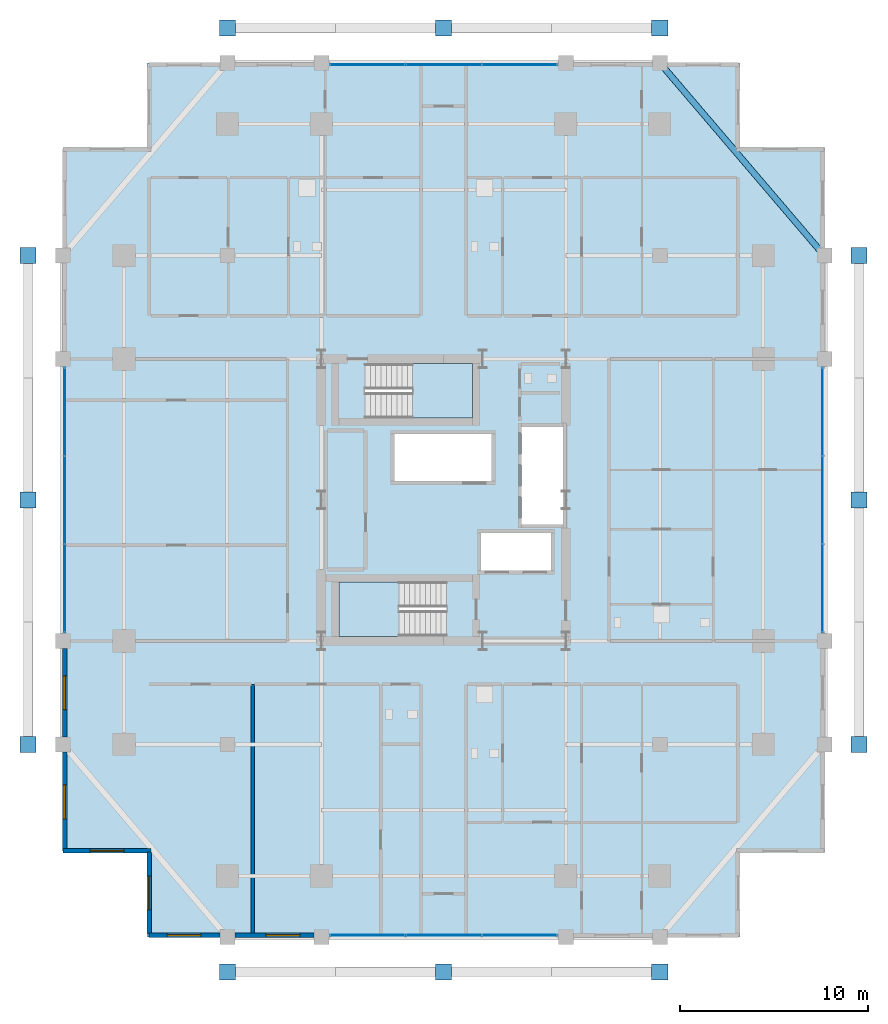
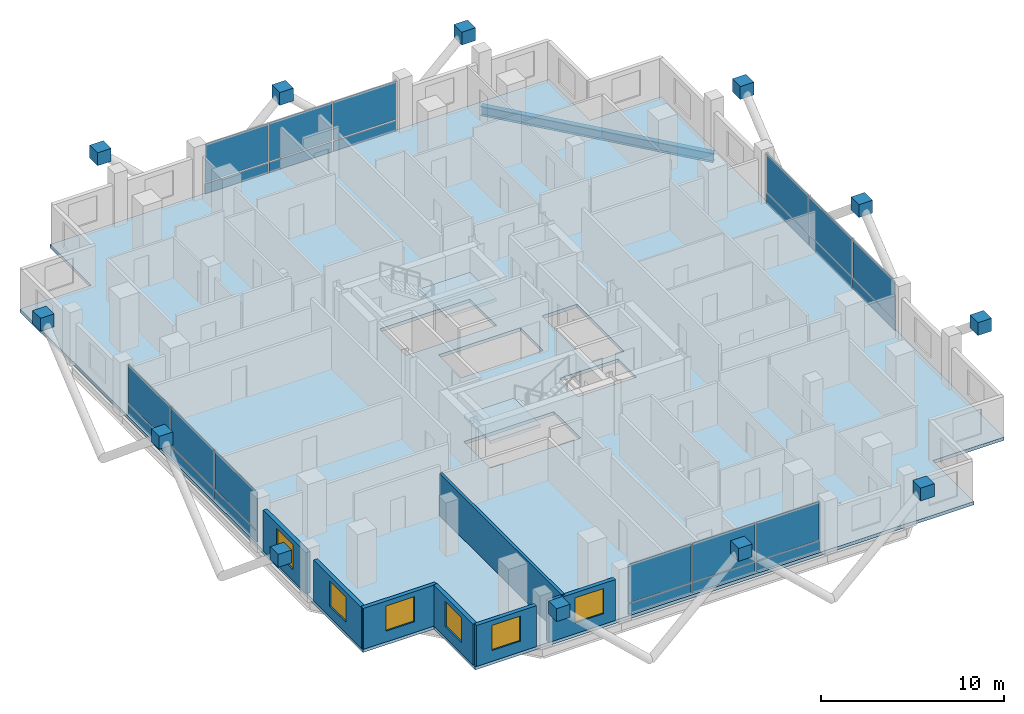
# One storey, part 16 of 23: 36 plates, 7 walls, 6 windows, 3 slabs, 1 beam, 6 openings, 6 elements without a shape of their own.
"""IFC4 building model written with IfcOpenShell, lengths in metres."""

from ifc_helpers import new_model, si_unit, direction, frame, frame_2d, origin, origin_2d, place, context, subcontext, project, spatial, polyline, rectangle, i_section, outline, extrude, material, layer, layer_set, material_profile, profile_set, type_object, element, fill, aggregate, save


model = new_model("IFC4")

# Units and contexts
model_context = context("Model", 3, precision=1e-05, world=origin(), true_north=direction((0.0, 1.0)))
body_context = subcontext(model_context, "Body", "Model", "MODEL_VIEW")
ifc_project = project(units=[si_unit("LENGTHUNIT", "METRE"), si_unit("AREAUNIT", "SQUARE_METRE"), si_unit("VOLUMEUNIT", "CUBIC_METRE"), si_unit("PLANEANGLEUNIT", "RADIAN"), si_unit("MASSUNIT", "GRAM", prefix="KILO")], contexts=[model_context])

# Site, building, storey
site_placement = place(None, origin())
site = spatial("IfcSite", under=ifc_project, at=site_placement, CompositionType="ELEMENT")
building_placement = place(site_placement, origin())
building = spatial("IfcBuilding", under=site, at=building_placement, Name="Barlavira Tower and Art Museum", CompositionType="ELEMENT")
storey_placement = place(building_placement, frame((0.0, 0.0, 151.199951171875)))
storey = spatial("IfcBuildingStorey", under=building, at=storey_placement, Name="L38", CompositionType="ELEMENT", Elevation=151.199951171875)

# Beam
ifc_material_1 = material(Name="Steel S355", Category="steel")
ifc_material_profile = material_profile(ifc_material_1, i_section(OverallWidth=0.327880859375, OverallDepth=0.62890625, WebThickness=0.013916015625, FlangeThickness=0.021484375, at=origin_2d()), Name="W610x174.0")
ifc_profile_set = profile_set([ifc_material_profile], Name="Steel S355")
beam_type = type_object("IfcBeamType", Name="Perimeter Spandrel Edge Beam W610x174 Steel S355", PredefinedType="SPANDREL", material=ifc_profile_set)
beam_placement = place(storey_placement, frame((20.25, 13.0, -0.534423828125), z_axis=(-0.649262379928, 0.760564502202, 0.0), x_axis=(-0.760564502202, -0.649262379928, 0.0)))
element("IfcBeam", 1, at=beam_placement, inside=storey, type_object=beam_type, Name="L38 Spandrel 8", PredefinedType="SPANDREL", context=body_context, shape_type="SweptSolid", body=[
    extrude(i_section(OverallWidth=0.327880859375, OverallDepth=0.62890625, WebThickness=0.013916015625, FlangeThickness=0.021484375, at=origin_2d()), origin(), (0.0, 0.0, 1.0), 13.476806640625),
])

# Curtain wall, plates
ifc_material_2 = material(Name="Low-iron coastal laminated glass", Category="glass")
ifc_layer_1 = layer(ifc_material_2, 0.18994140625, Name="Low-iron coastal laminated glass")
ifc_layer_set_1 = layer_set([ifc_layer_1], Name="Low-iron coastal laminated glass")
curtain_wall_type = type_object("IfcCurtainWallType", Name="Pale-Metal Unitised Curtain Wall Zone 2", PredefinedType="NOTDEFINED", material=ifc_layer_set_1)
curtain_wall_1_placement = place(storey_placement, origin())
curtain_wall_1 = element("IfcCurtainWall", 2, at=curtain_wall_1_placement, inside=storey, type_object=curtain_wall_type, Name="L38 Curtain Wall CW2-L38-S-B3", PredefinedType="NOTDEFINED")
ifc_material_3 = material(Name="Pale anodised aluminium", Category="aluminium")
ifc_layer_2 = layer(ifc_material_3, 0.044921875, Name="Pale anodised aluminium")
ifc_layer_set_2 = layer_set([ifc_layer_2], Name="Pale anodised aluminium")
plate_type_1 = type_object("IfcPlateType", Name="Curtain Wall Pale-Metal Spandrel Panel 45", PredefinedType="CURTAIN_PANEL", material=ifc_layer_set_2)
plate_1_placement = place(storey_placement, frame((-4.05322265625, -23.14990234375, 0.0400390625), z_axis=(0.0, 0.0, 1.0), x_axis=(1.0, 0.0, 0.0)))
plate_1 = element("IfcPlate", 3, at=plate_1_placement, type_object=plate_type_1, Name="CW2-L38-S-B3 Spandrel Panel 0", PredefinedType="CURTAIN_PANEL", context=body_context, shape_type="SweptSolid", body=[
    extrude(rectangle(XDim=3.953369140625, YDim=0.044921875, at=origin_2d()), origin(), (0.0, 0.0, 1.0), 0.6640625),
])
plate_2_placement = place(storey_placement, frame((0.0, -23.14990234375, 0.0400390625), z_axis=(0.0, 0.0, 1.0), x_axis=(1.0, 0.0, 0.0)))
plate_2 = element("IfcPlate", 4, at=plate_2_placement, type_object=plate_type_1, Name="CW2-L38-S-B3 Spandrel Panel 1", PredefinedType="CURTAIN_PANEL", context=body_context, shape_type="SweptSolid", body=[
    extrude(rectangle(XDim=3.953369140625, YDim=0.044921875, at=origin_2d()), origin(), (0.0, 0.0, 1.0), 0.6640625),
])
plate_3_placement = place(storey_placement, frame((4.05322265625, -23.14990234375, 0.0400390625), z_axis=(0.0, 0.0, 1.0), x_axis=(1.0, 0.0, 0.0)))
plate_3 = element("IfcPlate", 5, at=plate_3_placement, type_object=plate_type_1, Name="CW2-L38-S-B3 Spandrel Panel 2", PredefinedType="CURTAIN_PANEL", context=body_context, shape_type="SweptSolid", body=[
    extrude(rectangle(XDim=3.953369140625, YDim=0.044921875, at=origin_2d()), origin(), (0.0, 0.0, 1.0), 0.6640625),
])

curtain_wall_2_placement = place(storey_placement, origin())
curtain_wall_2 = element("IfcCurtainWall", 6, at=curtain_wall_2_placement, inside=storey, type_object=curtain_wall_type, Name="L38 Curtain Wall CW2-L38-N-B3", PredefinedType="NOTDEFINED")
plate_4_placement = place(storey_placement, frame((4.05322265625, 23.14990234375, 0.0400390625), z_axis=(0.0, 0.0, 1.0), x_axis=(-1.0, 0.0, 0.0)))
plate_4 = element("IfcPlate", 7, at=plate_4_placement, type_object=plate_type_1, Name="CW2-L38-N-B3 Spandrel Panel 0", PredefinedType="CURTAIN_PANEL", context=body_context, shape_type="SweptSolid", body=[
    extrude(rectangle(XDim=3.953369140625, YDim=0.044921875, at=origin_2d()), origin(), (0.0, 0.0, 1.0), 0.6640625),
])
plate_5_placement = place(storey_placement, frame((0.0, 23.14990234375, 0.0400390625), z_axis=(0.0, 0.0, 1.0), x_axis=(-1.0, 0.0, 0.0)))
plate_5 = element("IfcPlate", 8, at=plate_5_placement, type_object=plate_type_1, Name="CW2-L38-N-B3 Spandrel Panel 1", PredefinedType="CURTAIN_PANEL", context=body_context, shape_type="SweptSolid", body=[
    extrude(rectangle(XDim=3.953369140625, YDim=0.044921875, at=origin_2d()), origin(), (0.0, 0.0, 1.0), 0.6640625),
])
plate_6_placement = place(storey_placement, frame((-4.05322265625, 23.14990234375, 0.0400390625), z_axis=(0.0, 0.0, 1.0), x_axis=(-1.0, 0.0, 0.0)))
plate_6 = element("IfcPlate", 9, at=plate_6_placement, type_object=plate_type_1, Name="CW2-L38-N-B3 Spandrel Panel 2", PredefinedType="CURTAIN_PANEL", context=body_context, shape_type="SweptSolid", body=[
    extrude(rectangle(XDim=3.953369140625, YDim=0.044921875, at=origin_2d()), origin(), (0.0, 0.0, 1.0), 0.6640625),
])

curtain_wall_3_placement = place(storey_placement, origin())
curtain_wall_3 = element("IfcCurtainWall", 10, at=curtain_wall_3_placement, inside=storey, type_object=curtain_wall_type, Name="L38 Curtain Wall CW2-L38-W-B3", PredefinedType="NOTDEFINED")
plate_7_placement = place(storey_placement, frame((-20.14990234375, 4.719970703125, 0.0400390625), z_axis=(0.0, 0.0, 1.0), x_axis=(0.0, -1.0, 0.0)))
plate_7 = element("IfcPlate", 11, at=plate_7_placement, type_object=plate_type_1, Name="CW2-L38-W-B3 Spandrel Panel 0", PredefinedType="CURTAIN_PANEL", context=body_context, shape_type="SweptSolid", body=[
    extrude(rectangle(XDim=4.6201171875, YDim=0.044921875, at=origin_2d()), origin(), (0.0, 0.0, 1.0), 0.6640625),
])
plate_8_placement = place(storey_placement, frame((-20.14990234375, 0.0, 0.0400390625), z_axis=(0.0, 0.0, 1.0), x_axis=(0.0, -1.0, 0.0)))
plate_8 = element("IfcPlate", 12, at=plate_8_placement, type_object=plate_type_1, Name="CW2-L38-W-B3 Spandrel Panel 1", PredefinedType="CURTAIN_PANEL", context=body_context, shape_type="SweptSolid", body=[
    extrude(rectangle(XDim=4.6201171875, YDim=0.044921875, at=origin_2d()), origin(), (0.0, 0.0, 1.0), 0.6640625),
])
plate_9_placement = place(storey_placement, frame((-20.14990234375, -4.719970703125, 0.0400390625), z_axis=(0.0, 0.0, 1.0), x_axis=(0.0, -1.0, 0.0)))
plate_9 = element("IfcPlate", 13, at=plate_9_placement, type_object=plate_type_1, Name="CW2-L38-W-B3 Spandrel Panel 2", PredefinedType="CURTAIN_PANEL", context=body_context, shape_type="SweptSolid", body=[
    extrude(rectangle(XDim=4.6201171875, YDim=0.044921875, at=origin_2d()), origin(), (0.0, 0.0, 1.0), 0.6640625),
])

curtain_wall_4_placement = place(storey_placement, origin())
curtain_wall_4 = element("IfcCurtainWall", 14, at=curtain_wall_4_placement, inside=storey, type_object=curtain_wall_type, Name="L38 Curtain Wall CW2-L38-E-B3", PredefinedType="NOTDEFINED")
plate_10_placement = place(storey_placement, frame((20.14990234375, -4.719970703125, 0.0400390625), z_axis=(0.0, 0.0, 1.0), x_axis=(0.0, 1.0, 0.0)))
plate_10 = element("IfcPlate", 15, at=plate_10_placement, type_object=plate_type_1, Name="CW2-L38-E-B3 Spandrel Panel 0", PredefinedType="CURTAIN_PANEL", context=body_context, shape_type="SweptSolid", body=[
    extrude(rectangle(XDim=4.6201171875, YDim=0.044921875, at=origin_2d()), origin(), (0.0, 0.0, 1.0), 0.6640625),
])
plate_11_placement = place(storey_placement, frame((20.14990234375, 0.0, 0.0400390625), z_axis=(0.0, 0.0, 1.0), x_axis=(0.0, 1.0, 0.0)))
plate_11 = element("IfcPlate", 16, at=plate_11_placement, type_object=plate_type_1, Name="CW2-L38-E-B3 Spandrel Panel 1", PredefinedType="CURTAIN_PANEL", context=body_context, shape_type="SweptSolid", body=[
    extrude(rectangle(XDim=4.6201171875, YDim=0.044921875, at=origin_2d()), origin(), (0.0, 0.0, 1.0), 0.6640625),
])
plate_12_placement = place(storey_placement, frame((20.14990234375, 4.719970703125, 0.0400390625), z_axis=(0.0, 0.0, 1.0), x_axis=(0.0, 1.0, 0.0)))
plate_12 = element("IfcPlate", 17, at=plate_12_placement, type_object=plate_type_1, Name="CW2-L38-E-B3 Spandrel Panel 2", PredefinedType="CURTAIN_PANEL", context=body_context, shape_type="SweptSolid", body=[
    extrude(rectangle(XDim=4.6201171875, YDim=0.044921875, at=origin_2d()), origin(), (0.0, 0.0, 1.0), 0.6640625),
])

# Plate
ifc_layer_3 = layer(ifc_material_2, 0.028076171875, Name="Low-iron coastal laminated glass")
ifc_layer_set_3 = layer_set([ifc_layer_3], Name="Low-iron coastal laminated glass")
plate_type_2 = type_object("IfcPlateType", Name="Curtain Wall Vision Glazing Panel 28", PredefinedType="CURTAIN_PANEL", material=ifc_layer_set_3)
plate_13_placement = place(storey_placement, frame((-4.05322265625, -23.14990234375, 0.7841796875), z_axis=(0.0, 0.0, 1.0), x_axis=(1.0, 0.0, 0.0)))
plate_13 = element("IfcPlate", 18, at=plate_13_placement, type_object=plate_type_2, Name="CW2-L38-S-B3 Vision Glass Panel 0", PredefinedType="CURTAIN_PANEL", context=body_context, shape_type="SweptSolid", body=[
    extrude(rectangle(XDim=3.953369140625, YDim=0.028076171875, at=origin_2d()), origin(), (0.0, 0.0, 1.0), 2.555908203125),
])

plate_14_placement = place(storey_placement, frame((0.0, -23.14990234375, 0.7841796875), z_axis=(0.0, 0.0, 1.0), x_axis=(1.0, 0.0, 0.0)))
plate_14 = element("IfcPlate", 19, at=plate_14_placement, type_object=plate_type_2, Name="CW2-L38-S-B3 Vision Glass Panel 1", PredefinedType="CURTAIN_PANEL", context=body_context, shape_type="SweptSolid", body=[
    extrude(rectangle(XDim=3.953369140625, YDim=0.028076171875, at=origin_2d()), origin(), (0.0, 0.0, 1.0), 2.555908203125),
])

plate_15_placement = place(storey_placement, frame((4.05322265625, -23.14990234375, 0.7841796875), z_axis=(0.0, 0.0, 1.0), x_axis=(1.0, 0.0, 0.0)))
plate_15 = element("IfcPlate", 20, at=plate_15_placement, type_object=plate_type_2, Name="CW2-L38-S-B3 Vision Glass Panel 2", PredefinedType="CURTAIN_PANEL", context=body_context, shape_type="SweptSolid", body=[
    extrude(rectangle(XDim=3.953369140625, YDim=0.028076171875, at=origin_2d()), origin(), (0.0, 0.0, 1.0), 2.555908203125),
])

aggregate(curtain_wall_1, [plate_1, plate_13, plate_2, plate_14, plate_3, plate_15])

plate_16_placement = place(storey_placement, frame((4.05322265625, 23.14990234375, 0.7841796875), z_axis=(0.0, 0.0, 1.0), x_axis=(-1.0, 0.0, 0.0)))
plate_16 = element("IfcPlate", 21, at=plate_16_placement, type_object=plate_type_2, Name="CW2-L38-N-B3 Vision Glass Panel 0", PredefinedType="CURTAIN_PANEL", context=body_context, shape_type="SweptSolid", body=[
    extrude(rectangle(XDim=3.953369140625, YDim=0.028076171875, at=origin_2d()), origin(), (0.0, 0.0, 1.0), 2.555908203125),
])

plate_17_placement = place(storey_placement, frame((0.0, 23.14990234375, 0.7841796875), z_axis=(0.0, 0.0, 1.0), x_axis=(-1.0, 0.0, 0.0)))
plate_17 = element("IfcPlate", 22, at=plate_17_placement, type_object=plate_type_2, Name="CW2-L38-N-B3 Vision Glass Panel 1", PredefinedType="CURTAIN_PANEL", context=body_context, shape_type="SweptSolid", body=[
    extrude(rectangle(XDim=3.953369140625, YDim=0.028076171875, at=origin_2d()), origin(), (0.0, 0.0, 1.0), 2.555908203125),
])

plate_18_placement = place(storey_placement, frame((-4.05322265625, 23.14990234375, 0.7841796875), z_axis=(0.0, 0.0, 1.0), x_axis=(-1.0, 0.0, 0.0)))
plate_18 = element("IfcPlate", 23, at=plate_18_placement, type_object=plate_type_2, Name="CW2-L38-N-B3 Vision Glass Panel 2", PredefinedType="CURTAIN_PANEL", context=body_context, shape_type="SweptSolid", body=[
    extrude(rectangle(XDim=3.953369140625, YDim=0.028076171875, at=origin_2d()), origin(), (0.0, 0.0, 1.0), 2.555908203125),
])

aggregate(curtain_wall_2, [plate_4, plate_16, plate_5, plate_17, plate_6, plate_18])

plate_19_placement = place(storey_placement, frame((-20.14990234375, 4.719970703125, 0.7841796875), z_axis=(0.0, 0.0, 1.0), x_axis=(0.0, -1.0, 0.0)))
plate_19 = element("IfcPlate", 24, at=plate_19_placement, type_object=plate_type_2, Name="CW2-L38-W-B3 Vision Glass Panel 0", PredefinedType="CURTAIN_PANEL", context=body_context, shape_type="SweptSolid", body=[
    extrude(rectangle(XDim=4.6201171875, YDim=0.028076171875, at=origin_2d()), origin(), (0.0, 0.0, 1.0), 2.555908203125),
])

plate_20_placement = place(storey_placement, frame((-20.14990234375, 0.0, 0.7841796875), z_axis=(0.0, 0.0, 1.0), x_axis=(0.0, -1.0, 0.0)))
plate_20 = element("IfcPlate", 25, at=plate_20_placement, type_object=plate_type_2, Name="CW2-L38-W-B3 Vision Glass Panel 1", PredefinedType="CURTAIN_PANEL", context=body_context, shape_type="SweptSolid", body=[
    extrude(rectangle(XDim=4.6201171875, YDim=0.028076171875, at=origin_2d()), origin(), (0.0, 0.0, 1.0), 2.555908203125),
])

plate_21_placement = place(storey_placement, frame((-20.14990234375, -4.719970703125, 0.7841796875), z_axis=(0.0, 0.0, 1.0), x_axis=(0.0, -1.0, 0.0)))
plate_21 = element("IfcPlate", 26, at=plate_21_placement, type_object=plate_type_2, Name="CW2-L38-W-B3 Vision Glass Panel 2", PredefinedType="CURTAIN_PANEL", context=body_context, shape_type="SweptSolid", body=[
    extrude(rectangle(XDim=4.6201171875, YDim=0.028076171875, at=origin_2d()), origin(), (0.0, 0.0, 1.0), 2.555908203125),
])

aggregate(curtain_wall_3, [plate_7, plate_19, plate_8, plate_20, plate_9, plate_21])

plate_22_placement = place(storey_placement, frame((20.14990234375, -4.719970703125, 0.7841796875), z_axis=(0.0, 0.0, 1.0), x_axis=(0.0, 1.0, 0.0)))
plate_22 = element("IfcPlate", 27, at=plate_22_placement, type_object=plate_type_2, Name="CW2-L38-E-B3 Vision Glass Panel 0", PredefinedType="CURTAIN_PANEL", context=body_context, shape_type="SweptSolid", body=[
    extrude(rectangle(XDim=4.6201171875, YDim=0.028076171875, at=origin_2d()), origin(), (0.0, 0.0, 1.0), 2.555908203125),
])

plate_23_placement = place(storey_placement, frame((20.14990234375, 0.0, 0.7841796875), z_axis=(0.0, 0.0, 1.0), x_axis=(0.0, 1.0, 0.0)))
plate_23 = element("IfcPlate", 28, at=plate_23_placement, type_object=plate_type_2, Name="CW2-L38-E-B3 Vision Glass Panel 1", PredefinedType="CURTAIN_PANEL", context=body_context, shape_type="SweptSolid", body=[
    extrude(rectangle(XDim=4.6201171875, YDim=0.028076171875, at=origin_2d()), origin(), (0.0, 0.0, 1.0), 2.555908203125),
])

plate_24_placement = place(storey_placement, frame((20.14990234375, 4.719970703125, 0.7841796875), z_axis=(0.0, 0.0, 1.0), x_axis=(0.0, 1.0, 0.0)))
plate_24 = element("IfcPlate", 29, at=plate_24_placement, type_object=plate_type_2, Name="CW2-L38-E-B3 Vision Glass Panel 2", PredefinedType="CURTAIN_PANEL", context=body_context, shape_type="SweptSolid", body=[
    extrude(rectangle(XDim=4.6201171875, YDim=0.028076171875, at=origin_2d()), origin(), (0.0, 0.0, 1.0), 2.555908203125),
])

aggregate(curtain_wall_4, [plate_10, plate_22, plate_11, plate_23, plate_12, plate_24])

# Plates
ifc_layer_4 = layer(ifc_material_1, 0.860107421875, Name="Steel S355")
ifc_layer_set_4 = layer_set([ifc_layer_4], Name="Steel S355")
plate_type_3 = type_object("IfcPlateType", Name="Exoskeleton Solid Steel Node Cap Plate Assembly Type 2 Steel S355", PredefinedType="USERDEFINED", material=ifc_layer_set_4)
for number, where, z_axis, x_axis, name in (
    (30, (-11.5, -25.10009765625, 3.0498046875), (0.0, 0.0, 1.0), (1.0, 0.0, 0.0), "Exoskeleton Node S ND-L38-0377"),
    (31, (0.0, -25.10009765625, 3.0498046875), (0.0, 0.0, 1.0), (1.0, 0.0, 0.0), "Exoskeleton Node S ND-L38-0378"),
    (32, (11.5, -25.10009765625, 3.0498046875), (0.0, 0.0, 1.0), (1.0, 0.0, 0.0), "Exoskeleton Node S ND-L38-0379"),
    (33, (-11.5, 25.10009765625, 3.0498046875), (0.0, 0.0, 1.0), (1.0, 0.0, 0.0), "Exoskeleton Node N ND-L38-0385"),
    (34, (0.0, 25.10009765625, 3.0498046875), (0.0, 0.0, 1.0), (1.0, 0.0, 0.0), "Exoskeleton Node N ND-L38-0386"),
    (35, (11.5, 25.10009765625, 3.0498046875), (0.0, 0.0, 1.0), (1.0, 0.0, 0.0), "Exoskeleton Node N ND-L38-0387"),
    (36, (-22.10009765625, -13.0, 3.0498046875), (0.0, 0.0, 1.0), (1.0, 0.0, 0.0), "Exoskeleton Node W ND-L38-0393"),
    (37, (-22.10009765625, 0.0, 3.0498046875), (0.0, 0.0, 1.0), (1.0, 0.0, 0.0), "Exoskeleton Node W ND-L38-0394"),
    (38, (-22.10009765625, 13.0, 3.0498046875), (0.0, 0.0, 1.0), (1.0, 0.0, 0.0), "Exoskeleton Node W ND-L38-0395"),
    (39, (22.10009765625, -13.0, 3.0498046875), (0.0, 0.0, 1.0), (1.0, 0.0, 0.0), "Exoskeleton Node E ND-L38-0401"),
    (40, (22.10009765625, 0.0, 3.0498046875), (0.0, 0.0, 1.0), (1.0, 0.0, 0.0), "Exoskeleton Node E ND-L38-0402"),
    (41, (22.10009765625, 13.0, 3.0498046875), (0.0, 0.0, 1.0), (1.0, 0.0, 0.0), "Exoskeleton Node E ND-L38-0403"),
):
    element("IfcPlate", number, at=place(storey_placement, frame(where, z_axis=z_axis, x_axis=x_axis)), inside=storey, type_object=plate_type_3, Name=name, ObjectType="FLANGE_PLATE", PredefinedType="USERDEFINED", context=body_context, shape_type="SweptSolid", body=[
        extrude(rectangle(XDim=0.860107421875, YDim=0.860107421875, at=origin_2d()), origin(), (0.0, 0.0, 1.0), 0.860107421875),
    ])

# Stair, slab
ifc_material_4 = material(Name="Concrete C45", Category="concrete")
stair_type_1 = type_object("IfcStairType", Name="Tower North Dog-Leg Exit Stair Assembly Concrete C45", PredefinedType="TWO_QUARTER_TURN_STAIR", material=ifc_material_4)
stair_1_placement = place(storey_placement, origin())
stair_1 = element("IfcStair", 42, at=stair_1_placement, inside=storey, type_object=stair_type_1, Name="L38 Tower North Exit Stair ST-T2", PredefinedType="TWO_QUARTER_TURN_STAIR")
ifc_layer_5 = layer(ifc_material_4, 0.199951171875, Name="Concrete C45")
ifc_layer_set_5 = layer_set([ifc_layer_5], Name="Concrete C45")
slab_type_1 = type_object("IfcSlabType", Name="Tower North Dog-Leg Exit Stair Half-Landing Slab 200 Concrete C45", PredefinedType="LANDING", material=ifc_layer_set_5)
slab_1_placement = place(storey_placement, frame((0.0, 0.0, 1.60009765625)))
slab_1 = element("IfcSlab", 43, at=slab_1_placement, type_object=slab_type_1, Name="ST-T2 landing 1", PredefinedType="LANDING", context=body_context, shape_type="SweptSolid", body=[
    extrude(outline(polyline([(-1.64990234375, 4.35009765625), (1.530029296875, 4.35009765625), (1.530029296875, 7.25), (-1.64990234375, 7.25), (-1.64990234375, 4.35009765625)])), origin(), (0.0, 0.0, 1.0), 0.199951171875),
])
aggregate(stair_1, [slab_1])

stair_type_2 = type_object("IfcStairType", Name="Tower South Dog-Leg Exit Stair Assembly Concrete C45", PredefinedType="TWO_QUARTER_TURN_STAIR", material=ifc_material_4)
stair_2_placement = place(storey_placement, origin())
stair_2 = element("IfcStair", 44, at=stair_2_placement, inside=storey, type_object=stair_type_2, Name="L38 Tower South Exit Stair ST-T1", PredefinedType="TWO_QUARTER_TURN_STAIR")
ifc_layer_6 = layer(ifc_material_4, 0.199951171875, Name="Concrete C45")
ifc_layer_set_6 = layer_set([ifc_layer_6], Name="Concrete C45")
slab_type_2 = type_object("IfcSlabType", Name="Tower South Dog-Leg Exit Stair Half-Landing Slab 200 Concrete C45", PredefinedType="LANDING", material=ifc_layer_set_6)
slab_2_placement = place(storey_placement, frame((0.0, 0.0, 1.60009765625)))
slab_2 = element("IfcSlab", 45, at=slab_2_placement, type_object=slab_type_2, Name="ST-T1 landing 1", PredefinedType="LANDING", context=body_context, shape_type="SweptSolid", body=[
    extrude(outline(polyline([(-2.3701171875, -4.35009765625), (-5.550048828125, -4.35009765625), (-5.550048828125, -7.25), (-2.3701171875, -7.25), (-2.3701171875, -4.35009765625)])), origin(), (0.0, 0.0, 1.0), 0.199951171875),
])
aggregate(stair_2, [slab_2])

# Slab
ifc_material_5 = material(Name="Concrete C50", Category="concrete")
ifc_layer_7 = layer(ifc_material_5, 0.2099609375, Name="Concrete C50")
ifc_layer_set_7 = layer_set([ifc_layer_7], Name="Concrete C50")
slab_type_3 = type_object("IfcSlabType", Name="Zone 2 Residential Composite Slab 210 Concrete C50", PredefinedType="FLOOR", material=ifc_layer_set_7)
slab_3_placement = place(storey_placement, frame((0.0, 0.0, -0.219970703125)))
element("IfcSlab", 46, at=slab_3_placement, inside=storey, type_object=slab_type_3, Name="L38 Tower Floor Slab", PredefinedType="FLOOR", context=body_context, shape_type="SweptSolid", body=[
    extrude(outline(polyline([(-15.75, -23.25), (15.75, -23.25), (15.75, -18.75), (20.25, -18.75), (20.25, 18.75), (15.75, 18.75), (15.75, 23.25), (-15.75, 23.25), (-15.75, 18.75), (-20.25, 18.75), (-20.25, -18.75), (-15.75, -18.75), (-15.75, -23.25)]), holes=[polyline([(0.14990234375, -4.35009765625), (-5.550048828125, -4.35009765625), (-5.550048828125, -7.25), (0.14990234375, -7.25), (0.14990234375, -4.35009765625)]), polyline([(-4.169921875, 4.35009765625), (1.530029296875, 4.35009765625), (1.530029296875, 7.25), (-4.169921875, 7.25), (-4.169921875, 4.35009765625)]), polyline([(4.14990234375, -1.2900390625), (6.35009765625, -1.2900390625), (6.35009765625, 3.889892578125), (4.14990234375, 3.889892578125), (4.14990234375, -1.2900390625)]), polyline([(-2.6201171875, 1.0), (2.56005859375, 1.0), (2.56005859375, 3.5), (-2.6201171875, 3.5), (-2.6201171875, 1.0)]), polyline([(2.0, -3.75), (5.699951171875, -3.75), (5.699951171875, -1.75), (2.0, -1.75), (2.0, -3.75)])]), origin(), (0.0, 0.0, 1.0), 0.219970703125),
])

# Wall
ifc_material_6 = material(Name="Gypsum acoustic stud partition", Category="gypsum")
ifc_layer_8 = layer(ifc_material_6, 0.179931640625, Name="Gypsum acoustic stud partition")
ifc_layer_set_8 = layer_set([ifc_layer_8], Name="Gypsum acoustic stud partition")
wall_type_1 = type_object("IfcWallType", Name="Inter-Tenancy Party Partition Wall 180", PredefinedType="PARTITIONING", material=ifc_layer_set_8)
wall_1_placement = place(storey_placement, frame((-10.14990234375, -23.14990234375, 0.0), z_axis=(0.0, 0.0, 1.0), x_axis=(0.0, 1.0, 0.0)))
element("IfcWall", 47, at=wall_1_placement, inside=storey, type_object=wall_type_1, Name="L38 Partition Wall 3", PredefinedType="PARTITIONING", context=body_context, shape_type="SweptSolid", body=[
    extrude(rectangle(XDim=13.349853515625, YDim=0.179931640625, at=frame_2d((6.6748046875, 0.0))), origin(), (0.0, 0.0, 1.0), 2.816162109375),
])

# Wall, opening, window
ifc_material_7 = material(Name="Precast concrete C40", Category="concrete")
ifc_layer_9 = layer(ifc_material_7, 0.25, Name="Precast concrete C40")
ifc_layer_set_9 = layer_set([ifc_layer_9], Name="Precast concrete C40")
wall_type_2 = type_object("IfcWallType", Name="Notched Corner Spandrel Wall 250 Precast Concrete C40", PredefinedType="SOLIDWALL", material=ifc_layer_set_9)
wall_2_placement = place(storey_placement, frame((-15.675048828125, -23.14990234375, 0.0), z_axis=(0.0, 0.0, 1.0), x_axis=(1.0, 0.0, 0.0)))
wall_2 = element("IfcWall", 48, at=wall_2_placement, inside=storey, type_object=wall_type_2, Name="L38 Coastal Facade Pier Wall CW2-L38-S-1", PredefinedType="SOLIDWALL", context=body_context, shape_type="SweptSolid", body=[
    extrude(rectangle(XDim=3.780029296875, YDim=0.25, at=frame_2d((1.89013671875, 0.0))), origin(), (0.0, 0.0, 1.0), 2.736083984375),
])
opening_1_placement = place(wall_2_placement, frame((0.968017578125, 0.0, 0.719970703125)))
opening_1 = element("IfcOpeningElement", 49, at=opening_1_placement, cuts=wall_2, Name="Opening WN-01", PredefinedType="OPENING", context=body_context, shape_type="SweptSolid", body=[
    extrude(rectangle(XDim=1.800048828125, YDim=1.679931640625, at=frame_2d((0.89990234375, 0.83984375))), frame((0.0, 0.135009765625, 0.0), z_axis=(0.0, -1.0, 0.0), x_axis=(1.0, 0.0, 0.0)), (0.0, 0.0, 1.0), 0.27001953125),
])
window_type = type_object("IfcWindowType", Name="Recessed Notch Corner Punch Window 1800x1680", PartitioningType="SINGLE_PANEL", PredefinedType="WINDOW", material=ifc_material_2)
window_1_placement = place(opening_1_placement, origin())
window_1 = element("IfcWindow", 50, at=window_1_placement, inside=storey, type_object=window_type, Name="L38 Punched Facade Window EWP-CW2-L38-S-1-1", OverallHeight=1.679931640625, OverallWidth=1.800048828125, PartitioningType="SINGLE_PANEL", PredefinedType="WINDOW", context=body_context, shape_type="SweptSolid", body=[
    extrude(rectangle(XDim=1.800048828125, YDim=1.679931640625, at=frame_2d((0.89990234375, 0.83984375))), frame((0.0, 0.030029296875, 0.0), z_axis=(0.0, -1.0, 0.0), x_axis=(1.0, 0.0, 0.0)), (0.0, 0.0, 1.0), 0.06005859375),
])
fill(opening_1, window_1)

wall_3_placement = place(storey_placement, frame((-11.10498046875, -23.14990234375, 0.0), z_axis=(0.0, 0.0, 1.0), x_axis=(1.0, 0.0, 0.0)))
wall_3 = element("IfcWall", 51, at=wall_3_placement, inside=storey, type_object=wall_type_2, Name="L38 Coastal Facade Pier Wall CW2-L38-S-2", PredefinedType="SOLIDWALL", context=body_context, shape_type="SweptSolid", body=[
    extrude(rectangle(XDim=4.2099609375, YDim=0.25, at=frame_2d((2.10498046875, 0.0))), origin(), (0.0, 0.0, 1.0), 2.736083984375),
])
opening_2_placement = place(wall_3_placement, frame((1.655029296875, 0.0, 0.719970703125)))
opening_2 = element("IfcOpeningElement", 52, at=opening_2_placement, cuts=wall_3, Name="Opening WN-01", PredefinedType="OPENING", context=body_context, shape_type="SweptSolid", body=[
    extrude(rectangle(XDim=1.800048828125, YDim=1.679931640625, at=frame_2d((0.89990234375, 0.83984375))), frame((0.0, 0.135009765625, 0.0), z_axis=(0.0, -1.0, 0.0), x_axis=(1.0, 0.0, 0.0)), (0.0, 0.0, 1.0), 0.27001953125),
])
window_2_placement = place(opening_2_placement, origin())
window_2 = element("IfcWindow", 53, at=window_2_placement, inside=storey, type_object=window_type, Name="L38 Punched Facade Window EWP-CW2-L38-S-2-1", OverallHeight=1.679931640625, OverallWidth=1.800048828125, PartitioningType="SINGLE_PANEL", PredefinedType="WINDOW", context=body_context, shape_type="SweptSolid", body=[
    extrude(rectangle(XDim=1.800048828125, YDim=1.679931640625, at=frame_2d((0.89990234375, 0.83984375))), frame((0.0, 0.030029296875, 0.0), z_axis=(0.0, -1.0, 0.0), x_axis=(1.0, 0.0, 0.0)), (0.0, 0.0, 1.0), 0.06005859375),
])
fill(opening_2, window_2)

wall_4_placement = place(storey_placement, frame((-20.14990234375, -7.89501953125, 0.0), z_axis=(0.0, 0.0, 1.0), x_axis=(0.0, -1.0, 0.0)))
wall_4 = element("IfcWall", 54, at=wall_4_placement, inside=storey, type_object=wall_type_2, Name="L38 Coastal Facade Pier Wall CW2-L38-W-4", PredefinedType="SOLIDWALL", context=body_context, shape_type="SweptSolid", body=[
    extrude(rectangle(XDim=4.7099609375, YDim=0.25, at=frame_2d((2.35498046875, 0.0))), origin(), (0.0, 0.0, 1.0), 2.736083984375),
])
opening_3_placement = place(wall_4_placement, frame((1.455078125, 0.0, 0.719970703125)))
opening_3 = element("IfcOpeningElement", 55, at=opening_3_placement, cuts=wall_4, Name="Opening WN-01", PredefinedType="OPENING", context=body_context, shape_type="SweptSolid", body=[
    extrude(rectangle(XDim=1.800048828125, YDim=1.679931640625, at=frame_2d((0.89990234375, 0.83984375))), frame((0.0, 0.135009765625, 0.0), z_axis=(0.0, -1.0, 0.0), x_axis=(1.0, 0.0, 0.0)), (0.0, 0.0, 1.0), 0.27001953125),
])
window_3_placement = place(opening_3_placement, origin())
window_3 = element("IfcWindow", 56, at=window_3_placement, inside=storey, type_object=window_type, Name="L38 Punched Facade Window EWP-CW2-L38-W-4-1", OverallHeight=1.679931640625, OverallWidth=1.800048828125, PartitioningType="SINGLE_PANEL", PredefinedType="WINDOW", context=body_context, shape_type="SweptSolid", body=[
    extrude(rectangle(XDim=1.800048828125, YDim=1.679931640625, at=frame_2d((0.89990234375, 0.83984375))), frame((0.0, 0.030029296875, 0.0), z_axis=(0.0, -1.0, 0.0), x_axis=(1.0, 0.0, 0.0)), (0.0, 0.0, 1.0), 0.06005859375),
])
fill(opening_3, window_3)

wall_5_placement = place(storey_placement, frame((-20.14990234375, -13.39501953125, 0.0), z_axis=(0.0, 0.0, 1.0), x_axis=(0.0, -1.0, 0.0)))
wall_5 = element("IfcWall", 57, at=wall_5_placement, inside=storey, type_object=wall_type_2, Name="L38 Coastal Facade Pier Wall CW2-L38-W-5", PredefinedType="SOLIDWALL", context=body_context, shape_type="SweptSolid", body=[
    extrude(rectangle(XDim=5.280029296875, YDim=0.25, at=frame_2d((2.64013671875, 0.0))), origin(), (0.0, 0.0, 1.0), 2.736083984375),
])
opening_4_placement = place(wall_5_placement, frame((1.762939453125, 0.0, 0.719970703125)))
opening_4 = element("IfcOpeningElement", 58, at=opening_4_placement, cuts=wall_5, Name="Opening WN-01", PredefinedType="OPENING", context=body_context, shape_type="SweptSolid", body=[
    extrude(rectangle(XDim=1.800048828125, YDim=1.679931640625, at=frame_2d((0.89990234375, 0.83984375))), frame((0.0, 0.135009765625, 0.0), z_axis=(0.0, -1.0, 0.0), x_axis=(1.0, 0.0, 0.0)), (0.0, 0.0, 1.0), 0.27001953125),
])
window_4_placement = place(opening_4_placement, origin())
window_4 = element("IfcWindow", 59, at=window_4_placement, inside=storey, type_object=window_type, Name="L38 Punched Facade Window EWP-CW2-L38-W-5-1", OverallHeight=1.679931640625, OverallWidth=1.800048828125, PartitioningType="SINGLE_PANEL", PredefinedType="WINDOW", context=body_context, shape_type="SweptSolid", body=[
    extrude(rectangle(XDim=1.800048828125, YDim=1.679931640625, at=frame_2d((0.89990234375, 0.83984375))), frame((0.0, 0.030029296875, 0.0), z_axis=(0.0, -1.0, 0.0), x_axis=(1.0, 0.0, 0.0)), (0.0, 0.0, 1.0), 0.06005859375),
])
fill(opening_4, window_4)

wall_6_placement = place(storey_placement, frame((-20.22998046875, -18.64990234375, 0.0), z_axis=(0.0, 0.0, 1.0), x_axis=(1.0, 0.0, 0.0)))
wall_6 = element("IfcWall", 60, at=wall_6_placement, inside=storey, type_object=wall_type_2, Name="L38 Notch Corner Wall SW1", PredefinedType="SOLIDWALL", context=body_context, shape_type="SweptSolid", body=[
    extrude(rectangle(XDim=4.659912109375, YDim=0.25, at=frame_2d((2.330078125, 0.0))), origin(), (0.0, 0.0, 1.0), 2.736083984375),
])
opening_5_placement = place(wall_6_placement, frame((1.429931640625, 0.0, 0.719970703125)))
opening_5 = element("IfcOpeningElement", 61, at=opening_5_placement, cuts=wall_6, Name="Opening WN-01", PredefinedType="OPENING", context=body_context, shape_type="SweptSolid", body=[
    extrude(rectangle(XDim=1.800048828125, YDim=1.679931640625, at=frame_2d((0.89990234375, 0.83984375))), frame((0.0, 0.135009765625, 0.0), z_axis=(0.0, -1.0, 0.0), x_axis=(1.0, 0.0, 0.0)), (0.0, 0.0, 1.0), 0.27001953125),
])
window_5_placement = place(opening_5_placement, origin())
window_5 = element("IfcWindow", 62, at=window_5_placement, inside=storey, type_object=window_type, Name="L38 Punched Facade Window EW-NTC-L38-SW1-1", OverallHeight=1.679931640625, OverallWidth=1.800048828125, PartitioningType="SINGLE_PANEL", PredefinedType="WINDOW", context=body_context, shape_type="SweptSolid", body=[
    extrude(rectangle(XDim=1.800048828125, YDim=1.679931640625, at=frame_2d((0.89990234375, 0.83984375))), frame((0.0, 0.030029296875, 0.0), z_axis=(0.0, -1.0, 0.0), x_axis=(1.0, 0.0, 0.0)), (0.0, 0.0, 1.0), 0.06005859375),
])
fill(opening_5, window_5)

wall_7_placement = place(storey_placement, frame((-15.64990234375, -18.72998046875, 0.0), z_axis=(0.0, 0.0, 1.0), x_axis=(0.0, -1.0, 0.0)))
wall_7 = element("IfcWall", 63, at=wall_7_placement, inside=storey, type_object=wall_type_2, Name="L38 Notch Corner Wall SW2", PredefinedType="SOLIDWALL", context=body_context, shape_type="SweptSolid", body=[
    extrude(rectangle(XDim=4.340087890625, YDim=0.25, at=frame_2d((2.169921875, 0.0))), origin(), (0.0, 0.0, 1.0), 2.736083984375),
])
opening_6_placement = place(wall_7_placement, frame((1.27001953125, 0.0, 0.719970703125)))
opening_6 = element("IfcOpeningElement", 64, at=opening_6_placement, cuts=wall_7, Name="Opening WN-01", PredefinedType="OPENING", context=body_context, shape_type="SweptSolid", body=[
    extrude(rectangle(XDim=1.800048828125, YDim=1.679931640625, at=frame_2d((0.89990234375, 0.83984375))), frame((0.0, 0.135009765625, 0.0), z_axis=(0.0, -1.0, 0.0), x_axis=(1.0, 0.0, 0.0)), (0.0, 0.0, 1.0), 0.27001953125),
])
window_6_placement = place(opening_6_placement, origin())
window_6 = element("IfcWindow", 65, at=window_6_placement, inside=storey, type_object=window_type, Name="L38 Punched Facade Window EW-NTC-L38-SW2-1", OverallHeight=1.679931640625, OverallWidth=1.800048828125, PartitioningType="SINGLE_PANEL", PredefinedType="WINDOW", context=body_context, shape_type="SweptSolid", body=[
    extrude(rectangle(XDim=1.800048828125, YDim=1.679931640625, at=frame_2d((0.89990234375, 0.83984375))), frame((0.0, 0.030029296875, 0.0), z_axis=(0.0, -1.0, 0.0), x_axis=(1.0, 0.0, 0.0)), (0.0, 0.0, 1.0), 0.06005859375),
])
fill(opening_6, window_6)

save(model, "model.ifc")
